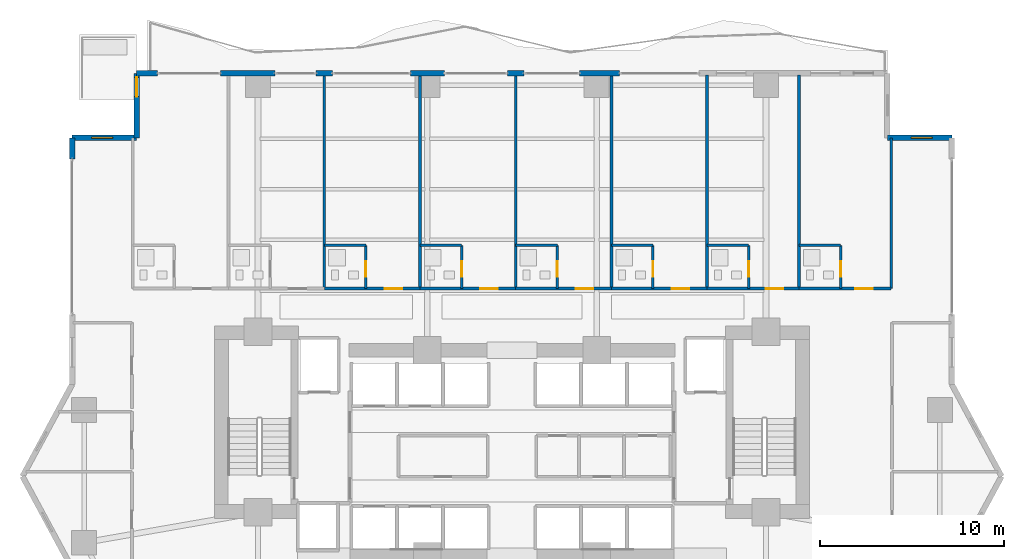
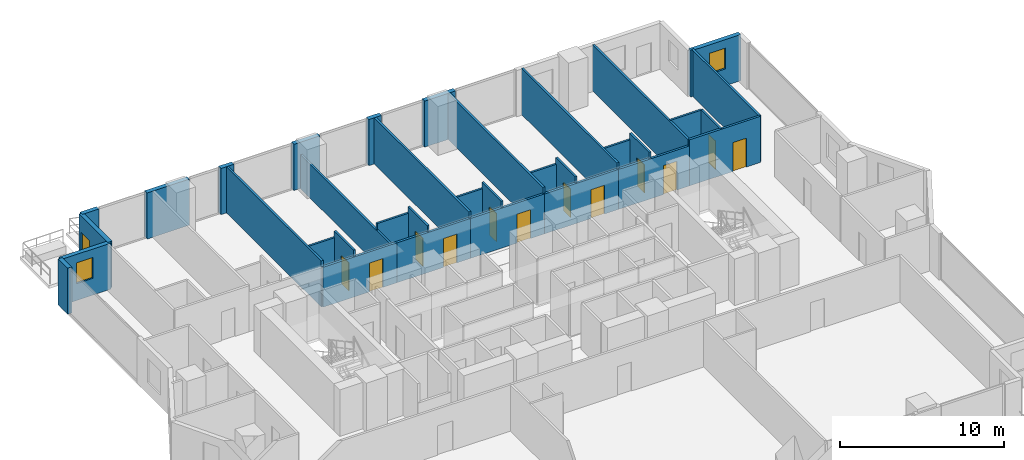
# One storey, part 24 of 29: 35 walls, 13 doors, 2 windows, 15 openings.
"""IFC4 building model written with IfcOpenShell, lengths in metres."""

import ifcopenshell
import ifcopenshell.guid

model = None  # the IFC model being written
_history = None  # IfcOwnerHistory: only IFC2X3 demands one
_inside = {}  # id of a spatial element -> (the spatial element, [elements in it])
_under = {}  # id of a project, library or spatial element -> (it, [spatial elements below it])
_declared = {}  # id of a project -> (the project, [libraries it declares])
_typed = {}  # id of a type object -> (the type object, [elements of that type])
_made_of = {}  # id of a material, layer set ... -> (it, [elements and type objects made of it])


def new_model(schema):
    """Start an empty IFC model of exactly this schema.

    Asked for "IFC4X3", IfcOpenShell would pick the latest addendum, in which some entities
    have other attributes; the version numbers below select the first issue.
    IFC2X3 requires an IfcOwnerHistory on every rooted entity: one is made here for all.
    """
    global model, _history
    if schema == "IFC4X3":
        model = ifcopenshell.file(schema_version=(4, 3, 0, 0))
    else:
        model = ifcopenshell.file(schema=schema)
    _inside.clear()
    _under.clear()
    _declared.clear()
    _typed.clear()
    _made_of.clear()
    _history = None
    if model.schema == "IFC2X3":
        org = make("IfcOrganization", Name="unknown")
        user = make(
            "IfcPersonAndOrganization",
            ThePerson=make("IfcPerson", FamilyName="unknown"),
            TheOrganization=org,
        )
        app = make(
            "IfcApplication",
            ApplicationDeveloper=org,
            Version="unknown",
            ApplicationFullName="unknown",
            ApplicationIdentifier="unknown",
        )
        _history = make(
            "IfcOwnerHistory",
            OwningUser=user,
            OwningApplication=app,
            ChangeAction="ADDED",
            CreationDate=0,
        )
    return model


def make(cls, **values):
    """One entity of the class cls with the attributes given. An attribute that is None is left unset."""
    return model.create_entity(
        cls, **{name: value for name, value in values.items() if value is not None}
    )


def rooted(cls, **values):
    """An entity with a GlobalId (a new one), such as an element, a storey or a relation."""
    return make(cls, GlobalId=ifcopenshell.guid.new(), OwnerHistory=_history, **values)


def si_unit(unit_type, name, prefix=None):
    """IfcSIUnit, for example si_unit("LENGTHUNIT", "METRE", prefix="MILLI")."""
    return make("IfcSIUnit", UnitType=unit_type, Prefix=prefix, Name=name)


def assignment(units):
    """IfcUnitAssignment: the units of a project."""
    return None if units is None else make("IfcUnitAssignment", Units=units)


def point(xyz):
    """IfcCartesianPoint."""
    return None if xyz is None else make("IfcCartesianPoint", Coordinates=xyz)


def direction(xyz):
    """IfcDirection."""
    return None if xyz is None else make("IfcDirection", DirectionRatios=xyz)


def frame(location, z_axis=None, x_axis=None):
    """IfcAxis2Placement3D, a coordinate frame: its origin and axes. An axis left out is left unset."""
    return make(
        "IfcAxis2Placement3D",
        Location=point(location),
        Axis=direction(z_axis),
        RefDirection=direction(x_axis),
    )


def frame_2d(location, x_axis=None):
    """IfcAxis2Placement2D, a coordinate frame in the plane: its origin and x axis."""
    return make(
        "IfcAxis2Placement2D", Location=point(location), RefDirection=direction(x_axis)
    )


def origin():
    """The frame at (0, 0, 0) with its axes left unset."""
    return frame((0.0, 0.0, 0.0))


def place(relative_to, where):
    """IfcLocalPlacement: puts the frame where relative to a parent placement (None: the world)."""
    return make(
        "IfcLocalPlacement", PlacementRelTo=relative_to, RelativePlacement=where
    )


def context(
    kind, dimensions, precision=None, world=None, true_north=None, identifier=None
):
    """IfcGeometricRepresentationContext, for example the 3D "Model" context."""
    return make(
        "IfcGeometricRepresentationContext",
        ContextIdentifier=identifier,
        ContextType=kind,
        CoordinateSpaceDimension=dimensions,
        Precision=precision,
        WorldCoordinateSystem=world,
        TrueNorth=true_north,
    )


def subcontext(parent, identifier, kind, view, scale=None):
    """IfcGeometricRepresentationSubContext, for example "Body" below "Model"."""
    return make(
        "IfcGeometricRepresentationSubContext",
        ContextIdentifier=identifier,
        ContextType=kind,
        ParentContext=parent,
        TargetScale=scale,
        TargetView=view,
    )


def project(units=None, contexts=None):
    """IfcProject with its units and contexts."""
    return rooted(
        "IfcProject",
        Name="project",
        RepresentationContexts=contexts,
        UnitsInContext=assignment(units),
    )


def spatial(cls, under=None, at=None, **own):
    """A site, building, storey or space (cls), placed at a placement, below another one or the project."""
    s = rooted(cls, ObjectPlacement=at, **own)
    if under is not None:
        _under.setdefault(under.id(), (under, []))[1].append(s)
    return s


def profile(cls, at=None, kind="AREA", **sizes):
    """A parametric profile (cls). Its sizes go by their IFC names, for example OverallWidth=200.0."""
    return make(cls, ProfileType=kind, Position=at, **sizes)


def rectangle(**sizes):
    """IfcRectangleProfileDef."""
    return profile("IfcRectangleProfileDef", **sizes)


def extrude(swept, where, along, depth):
    """IfcExtrudedAreaSolid: the profile swept, set in the frame where, extruded along a direction by depth."""
    return make(
        "IfcExtrudedAreaSolid",
        SweptArea=swept,
        Position=where,
        ExtrudedDirection=direction(along),
        Depth=depth,
    )


def shape(context_of_items, identifier, shape_type, items):
    """IfcShapeRepresentation: the items that make up one representation, for example the "Body"."""
    return make(
        "IfcShapeRepresentation",
        ContextOfItems=context_of_items,
        RepresentationIdentifier=identifier,
        RepresentationType=shape_type,
        Items=items,
    )


def material(Name=None, Category=None):
    """IfcMaterial."""
    return make("IfcMaterial", Name=Name, Category=Category)


def layer(
    of_material, thickness, ventilated=None, Name=None, Category=None, Priority=None
):
    """IfcMaterialLayer: one layer of a wall or slab, of a material (None: an air gap)."""
    return make(
        "IfcMaterialLayer",
        Material=of_material,
        LayerThickness=thickness,
        IsVentilated=ventilated,
        Name=Name,
        Category=Category,
        Priority=Priority,
    )


def layer_set(layers, Name=None):
    """IfcMaterialLayerSet."""
    return make("IfcMaterialLayerSet", MaterialLayers=layers, LayerSetName=Name)


def made_of(thing, what):
    """Note that an element or type object is made of a material, layer set ...; save() writes the relation."""
    if what is not None:
        _made_of.setdefault(what.id(), (what, []))[1].append(thing)
    return thing


def type_object(cls, material=None, **own):
    """A type object (cls), such as IfcWallType, which elements share."""
    return made_of(rooted(cls, **own), material)


def element(
    cls,
    number,
    at=None,
    inside=None,
    cuts=None,
    type_object=None,
    material=None,
    context=None,
    identifier="Body",
    shape_type=None,
    held_by="IfcProductDefinitionShape",
    body=None,
    shapes=None,
    **own,
):
    """One element of the class cls, such as IfcWall. Its Tag is "e" and its number.

    at: its placement. inside: the storey or other place that contains it. cuts: it is an
    opening in that element (IfcRelVoidsElement). A single representation is given by context,
    identifier, shape_type and body (its items); several are given by shapes. held_by: the class
    of the entity that holds the representations. save() writes the other relations.
    """
    e = rooted(cls, Tag="e%d" % number, ObjectPlacement=at, **own)
    if body is not None:
        shapes = [shape(context, identifier, shape_type, body)]
    if shapes is not None:
        e.Representation = make(held_by, Representations=shapes)
    if inside is not None:
        _inside.setdefault(inside.id(), (inside, []))[1].append(e)
    if cuts is not None:
        rooted(
            "IfcRelVoidsElement", RelatingBuildingElement=cuts, RelatedOpeningElement=e
        )
    if type_object is not None:
        _typed.setdefault(type_object.id(), (type_object, []))[1].append(e)
    return made_of(e, material)


def fill(opening, filler):
    """IfcRelFillsElement: the door or window that sits in an opening."""
    return rooted(
        "IfcRelFillsElement",
        RelatingOpeningElement=opening,
        RelatedBuildingElement=filler,
    )


def aggregate(whole, parts):
    """IfcRelAggregates: a whole, such as a stair, and the parts it consists of."""
    return rooted("IfcRelAggregates", RelatingObject=whole, RelatedObjects=parts)


def save(model, path):
    """Write the relations noted so far, then the file.

    IfcRelAggregates (storeys below a building ...), IfcRelContainedInSpatialStructure (elements
    in a storey), IfcRelDefinesByType, IfcRelAssociatesMaterial and IfcRelDeclares: one each for
    every whole, place, type object, material and project.
    """
    for whole, parts in _under.values():
        aggregate(whole, parts)
    for where, things in _inside.values():
        rooted(
            "IfcRelContainedInSpatialStructure",
            RelatedElements=things,
            RelatingStructure=where,
        )
    for kind, things in _typed.values():
        rooted("IfcRelDefinesByType", RelatedObjects=things, RelatingType=kind)
    for what, things in _made_of.values():
        rooted("IfcRelAssociatesMaterial", RelatedObjects=things, RelatingMaterial=what)
    for by, libraries in _declared.values():
        rooted("IfcRelDeclares", RelatingContext=by, RelatedDefinitions=libraries)
    model.write(path)


model = new_model("IFC4")

# Units and contexts
model_context = context("Model", 3, precision=1e-05, world=origin(), true_north=direction((0.0, 1.0)))
body_context = subcontext(model_context, "Body", "Model", "MODEL_VIEW")
ifc_project = project(units=[si_unit("LENGTHUNIT", "METRE"), si_unit("AREAUNIT", "SQUARE_METRE"), si_unit("VOLUMEUNIT", "CUBIC_METRE"), si_unit("PLANEANGLEUNIT", "RADIAN"), si_unit("MASSUNIT", "GRAM", prefix="KILO")], contexts=[model_context])

# Site, building, storey
site_placement = place(None, origin())
site = spatial("IfcSite", under=ifc_project, at=site_placement, CompositionType="ELEMENT")
building_placement = place(site_placement, origin())
building = spatial("IfcBuilding", under=site, at=building_placement, Name="Zuhayl Quay Hotel", CompositionType="ELEMENT")
storey_placement = place(building_placement, frame((0.0, 0.0, 113.89990234375)))
storey = spatial("IfcBuildingStorey", under=building, at=storey_placement, Name="L28", CompositionType="ELEMENT", Elevation=113.89990234375)

# Wall
ifc_material_1 = material(Name="Precast concrete C45/55", Category="concrete")
ifc_layer_1 = layer(ifc_material_1, 0.300048828125, Name="Precast concrete C45/55", Category="concrete")
ifc_layer_set_1 = layer_set([ifc_layer_1], Name="Precast concrete C45/55")
wall_type_1 = type_object("IfcWallType", Name="WL_EXT_300", PredefinedType="STANDARD", material=ifc_layer_set_1)
wall_1_placement = place(storey_placement, frame((-23.89990234375, 23.75, 0.0), z_axis=(0.0, 0.0, 1.0), x_axis=(0.0, 1.0, 0.0)))
element("IfcWall", 1, at=wall_1_placement, inside=storey, type_object=wall_type_1, Name="L28 Exterior Precast Wall ENV_L28_E05_EW2", PredefinedType="STANDARD", context=body_context, shape_type="SweptSolid", body=[
    extrude(rectangle(XDim=1.14990234375, YDim=0.300048828125, at=frame_2d((0.574951171875, 0.0))), origin(), (0.0, 0.0, 1.0), 3.43017578125),
])

# Wall, opening, window
wall_2_placement = place(storey_placement, frame((-23.89990234375, 24.89990234375, 0.0), z_axis=(0.0, 0.0, 1.0), x_axis=(1.0, 0.0, 0.0)))
wall_2 = element("IfcWall", 2, at=wall_2_placement, inside=storey, type_object=wall_type_1, Name="L28 Exterior Precast Wall ENV_L28_EW06", PredefinedType="STANDARD", context=body_context, shape_type="SweptSolid", body=[
    extrude(rectangle(XDim=3.5, YDim=0.300048828125, at=frame_2d((1.75, 0.0))), origin(), (0.0, 0.0, 1.0), 3.43017578125),
])
opening_1_placement = place(wall_2_placement, frame((1.06494140625, 0.0, 1.25)))
opening_1 = element("IfcOpeningElement", 3, at=opening_1_placement, cuts=wall_2, Name="Opening W01N", PredefinedType="OPENING", context=body_context, shape_type="SweptSolid", body=[
    extrude(rectangle(XDim=1.14990234375, YDim=1.550048828125, at=frame_2d((0.574951171875, 0.77490234375))), frame((0.0, 0.159912109375, 0.0), z_axis=(0.0, -1.0, 0.0), x_axis=(1.0, 0.0, 0.0)), (0.0, 0.0, 1.0), 0.320068359375),
])
ifc_material_2 = material(Name="Dark Ceramic-Fritted Solar Glass", Category="glass")
window_type = type_object("IfcWindowType", Name="WN_NOTCH_1350", PartitioningType="SINGLE_PANEL", PredefinedType="WINDOW", material=ifc_material_2)
window_1_placement = place(opening_1_placement, origin())
window_1 = element("IfcWindow", 4, at=window_1_placement, inside=storey, type_object=window_type, Name="L28 Corner Notch Window 6", OverallHeight=1.550048828125, OverallWidth=1.14990234375, PartitioningType="SINGLE_PANEL", PredefinedType="WINDOW", context=body_context, shape_type="SweptSolid", body=[
    extrude(rectangle(XDim=1.14990234375, YDim=1.550048828125, at=frame_2d((0.574951171875, 0.77490234375))), frame((0.0, 0.030029296875, 0.0), z_axis=(0.0, -1.0, 0.0), x_axis=(1.0, 0.0, 0.0)), (0.0, 0.0, 1.0), 0.06005859375),
])
fill(opening_1, window_1)

# Wall, opening, door
wall_3_placement = place(storey_placement, frame((-20.39990234375, 24.89990234375, 0.0), z_axis=(0.0, 0.0, 1.0), x_axis=(0.0, 1.0, 0.0)))
wall_3 = element("IfcWall", 5, at=wall_3_placement, inside=storey, type_object=wall_type_1, Name="L28 Exterior Precast Wall ENV_L28_SP_NW", PredefinedType="STANDARD", context=body_context, shape_type="SweptSolid", body=[
    extrude(rectangle(XDim=3.5, YDim=0.300048828125, at=frame_2d((1.75, 0.0))), origin(), (0.0, 0.0, 1.0), 3.43017578125),
])
opening_2_placement = place(wall_3_placement, frame((2.22998046875, 0.0, 0.0)))
opening_2 = element("IfcOpeningElement", 6, at=opening_2_placement, cuts=wall_3, Name="Opening DG1", PredefinedType="OPENING", context=body_context, shape_type="SweptSolid", body=[
    extrude(rectangle(XDim=1.050048828125, YDim=2.199951171875, at=frame_2d((0.52490234375, 1.10009765625))), frame((0.0, 0.159912109375, 0.0), z_axis=(0.0, -1.0, 0.0), x_axis=(1.0, 0.0, 0.0)), (0.0, 0.0, 1.0), 0.320068359375),
])
ifc_material_3 = material(Name="Anodised Aluminium and Dark Solar Glass", Category="aluminium")
door_type_1 = type_object("IfcDoorType", Name="DR_EXT_TERR_1050", OperationType="NOTDEFINED", PredefinedType="DOOR", material=ifc_material_3)
door_1_placement = place(opening_2_placement, origin())
door_1 = element("IfcDoor", 7, at=door_1_placement, inside=storey, type_object=door_type_1, Name="L28 Spiral Sky-Terrace NW Access Door", OperationType="SINGLE_SWING_LEFT", OverallHeight=2.199951171875, OverallWidth=1.050048828125, PredefinedType="DOOR", context=body_context, shape_type="SweptSolid", body=[
    extrude(rectangle(XDim=1.050048828125, YDim=2.199951171875, at=frame_2d((0.52490234375, 1.10009765625))), frame((0.0, 0.02490234375, 0.0), z_axis=(0.0, -1.0, 0.0), x_axis=(1.0, 0.0, 0.0)), (0.0, 0.0, 1.0), 0.050048828125),
])
fill(opening_2, door_1)

# Walls
wall_4_placement = place(storey_placement, frame((-20.39990234375, 28.39990234375, 0.0), z_axis=(0.0, 0.0, 1.0), x_axis=(1.0, 0.0, 0.0)))
element("IfcWall", 8, at=wall_4_placement, inside=storey, type_object=wall_type_1, Name="L28 Exterior Precast Wall ENV_L28_N_EW1", PredefinedType="STANDARD", context=body_context, shape_type="SweptSolid", body=[
    extrude(rectangle(XDim=1.14990234375, YDim=0.300048828125, at=frame_2d((0.574951171875, 0.0))), origin(), (0.0, 0.0, 1.0), 3.43017578125),
])
wall_5_placement = place(storey_placement, frame((-15.85009765625, 28.39990234375, 0.0), z_axis=(0.0, 0.0, 1.0), x_axis=(1.0, 0.0, 0.0)))
element("IfcWall", 9, at=wall_5_placement, inside=storey, type_object=wall_type_1, Name="L28 Exterior Precast Wall ENV_L28_N_EW2", PredefinedType="STANDARD", context=body_context, shape_type="SweptSolid", body=[
    extrude(rectangle(XDim=2.97021484375, YDim=0.300048828125, at=frame_2d((1.485107421875, 0.0))), origin(), (0.0, 0.0, 1.0), 3.43017578125),
])
wall_6_placement = place(storey_placement, frame((-10.64990234375, 28.39990234375, 0.0), z_axis=(0.0, 0.0, 1.0), x_axis=(1.0, 0.0, 0.0)))
element("IfcWall", 10, at=wall_6_placement, inside=storey, type_object=wall_type_1, Name="L28 Exterior Precast Wall ENV_L28_N_EW3", PredefinedType="STANDARD", context=body_context, shape_type="SweptSolid", body=[
    extrude(rectangle(XDim=0.89990234375, YDim=0.300048828125, at=frame_2d((0.449951171875, 0.0))), origin(), (0.0, 0.0, 1.0), 3.43017578125),
])
wall_7_placement = place(storey_placement, frame((-5.52001953125, 28.39990234375, 0.0), z_axis=(0.0, 0.0, 1.0), x_axis=(1.0, 0.0, 0.0)))
element("IfcWall", 11, at=wall_7_placement, inside=storey, type_object=wall_type_1, Name="L28 Exterior Precast Wall ENV_L28_N_EW4", PredefinedType="STANDARD", context=body_context, shape_type="SweptSolid", body=[
    extrude(rectangle(XDim=1.840087890625, YDim=0.300048828125, at=frame_2d((0.919921875, 0.0))), origin(), (0.0, 0.0, 1.0), 3.43017578125),
])
wall_8_placement = place(storey_placement, frame((-0.25, 28.39990234375, 0.0), z_axis=(0.0, 0.0, 1.0), x_axis=(1.0, 0.0, 0.0)))
element("IfcWall", 12, at=wall_8_placement, inside=storey, type_object=wall_type_1, Name="L28 Exterior Precast Wall ENV_L28_N_EW5", PredefinedType="STANDARD", context=body_context, shape_type="SweptSolid", body=[
    extrude(rectangle(XDim=0.89990234375, YDim=0.300048828125, at=frame_2d((0.449951171875, 0.0))), origin(), (0.0, 0.0, 1.0), 3.43017578125),
])
wall_9_placement = place(storey_placement, frame((3.679931640625, 28.39990234375, 0.0), z_axis=(0.0, 0.0, 1.0), x_axis=(1.0, 0.0, 0.0)))
element("IfcWall", 13, at=wall_9_placement, inside=storey, type_object=wall_type_1, Name="L28 Exterior Precast Wall ENV_L28_N_EW6", PredefinedType="STANDARD", context=body_context, shape_type="SweptSolid", body=[
    extrude(rectangle(XDim=2.170166015625, YDim=0.300048828125, at=frame_2d((1.0849609375, 0.0))), origin(), (0.0, 0.0, 1.0), 3.43017578125),
])

# Wall, opening, window
wall_10_placement = place(storey_placement, frame((20.39990234375, 24.89990234375, 0.0), z_axis=(0.0, 0.0, 1.0), x_axis=(1.0, 0.0, 0.0)))
wall_10 = element("IfcWall", 14, at=wall_10_placement, inside=storey, type_object=wall_type_1, Name="L28 Exterior Precast Wall ENV_L28_EW10", PredefinedType="STANDARD", context=body_context, shape_type="SweptSolid", body=[
    extrude(rectangle(XDim=3.5, YDim=0.300048828125, at=frame_2d((1.75, 0.0))), origin(), (0.0, 0.0, 1.0), 3.43017578125),
])
opening_3_placement = place(wall_10_placement, frame((1.284912109375, 0.0, 1.25)))
opening_3 = element("IfcOpeningElement", 15, at=opening_3_placement, cuts=wall_10, Name="Opening W01N", PredefinedType="OPENING", context=body_context, shape_type="SweptSolid", body=[
    extrude(rectangle(XDim=1.14990234375, YDim=1.550048828125, at=frame_2d((0.574951171875, 0.77490234375))), frame((0.0, 0.159912109375, 0.0), z_axis=(0.0, -1.0, 0.0), x_axis=(1.0, 0.0, 0.0)), (0.0, 0.0, 1.0), 0.320068359375),
])
window_2_placement = place(opening_3_placement, origin())
window_2 = element("IfcWindow", 16, at=window_2_placement, inside=storey, type_object=window_type, Name="L28 Corner Notch Window 10", OverallHeight=1.550048828125, OverallWidth=1.14990234375, PartitioningType="SINGLE_PANEL", PredefinedType="WINDOW", context=body_context, shape_type="SweptSolid", body=[
    extrude(rectangle(XDim=1.14990234375, YDim=1.550048828125, at=frame_2d((0.574951171875, 0.77490234375))), frame((0.0, 0.030029296875, 0.0), z_axis=(0.0, -1.0, 0.0), x_axis=(1.0, 0.0, 0.0)), (0.0, 0.0, 1.0), 0.06005859375),
])
fill(opening_3, window_2)

# Walls
ifc_material_4 = material(Name="Acoustic Gypsum Partition STC-58")
ifc_layer_2 = layer(ifc_material_4, 0.14990234375, Name="Acoustic Gypsum Partition STC-58")
ifc_layer_set_2 = layer_set([ifc_layer_2], Name="Acoustic Gypsum Partition STC-58")
wall_type_2 = type_object("IfcWallType", Name="WL_PART_150", PredefinedType="PARTITIONING", material=ifc_layer_set_2)
wall_11_placement = place(storey_placement, frame((-10.199951171875, 16.699951171875, 0.0), z_axis=(0.0, 0.0, 1.0), x_axis=(0.0, 1.0, 0.0)))
element("IfcWall", 17, at=wall_11_placement, inside=storey, type_object=wall_type_2, Name="L28 Partition IW_L28_NU02_E", PredefinedType="PARTITIONING", context=body_context, shape_type="SweptSolid", body=[
    extrude(rectangle(XDim=11.6201171875, YDim=0.14990234375, at=frame_2d((5.81005859375, 0.0))), origin(), (0.0, 0.0, 1.0), 3.43017578125),
])
wall_12_placement = place(storey_placement, frame((-5.0, 16.699951171875, 0.0), z_axis=(0.0, 0.0, 1.0), x_axis=(0.0, 1.0, 0.0)))
element("IfcWall", 18, at=wall_12_placement, inside=storey, type_object=wall_type_2, Name="L28 Partition IW_L28_NU03_E", PredefinedType="PARTITIONING", context=body_context, shape_type="SweptSolid", body=[
    extrude(rectangle(XDim=11.6201171875, YDim=0.14990234375, at=frame_2d((5.81005859375, 0.0))), origin(), (0.0, 0.0, 1.0), 2.503173828125),
])
for number, where, z_axis, x_axis, name in (
    (19, (0.199951171875, 16.699951171875, 0.0), (0.0, 0.0, 1.0), (0.0, 1.0, 0.0), "L28 Partition IW_L28_NU04_E"),
    (20, (5.39990234375, 16.699951171875, 0.0), (0.0, 0.0, 1.0), (0.0, 1.0, 0.0), "L28 Partition IW_L28_NU05_E"),
    (21, (10.60009765625, 16.699951171875, 0.0), (0.0, 0.0, 1.0), (0.0, 1.0, 0.0), "L28 Partition IW_L28_NU06_E"),
    (22, (15.60009765625, 16.699951171875, 0.0), (0.0, 0.0, 1.0), (0.0, 1.0, 0.0), "L28 Partition IW_L28_NU07_E"),
):
    element("IfcWall", number, at=place(storey_placement, frame(where, z_axis=z_axis, x_axis=x_axis)), inside=storey, type_object=wall_type_2, Name=name, PredefinedType="PARTITIONING", context=body_context, shape_type="SweptSolid", body=[
        extrude(rectangle(XDim=11.6201171875, YDim=0.14990234375, at=frame_2d((5.81005859375, 0.0))), origin(), (0.0, 0.0, 1.0), 3.43017578125),
    ])
wall_13_placement = place(storey_placement, frame((20.60009765625, 16.699951171875, 0.0), z_axis=(0.0, 0.0, 1.0), x_axis=(0.0, 1.0, 0.0)))
element("IfcWall", 23, at=wall_13_placement, inside=storey, type_object=wall_type_2, Name="L28 Partition IW_L28_NU08_E", PredefinedType="PARTITIONING", context=body_context, shape_type="SweptSolid", body=[
    extrude(rectangle(XDim=8.199951171875, YDim=0.14990234375, at=frame_2d((4.10009765625, 0.0))), origin(), (0.0, 0.0, 1.0), 3.43017578125),
])

# Wall, opening, door
ifc_layer_3 = layer(ifc_material_4, 0.159912109375, Name="Acoustic Gypsum Partition STC-58")
ifc_layer_set_3 = layer_set([ifc_layer_3], Name="Acoustic Gypsum Partition STC-58")
wall_type_3 = type_object("IfcWallType", Name="WL_PART_CORR_160", PredefinedType="PARTITIONING", material=ifc_layer_set_3)
wall_14_placement = place(storey_placement, frame((-10.199951171875, 16.699951171875, 0.0), z_axis=(0.0, 0.0, 1.0), x_axis=(1.0, 0.0, 0.0)))
wall_14 = element("IfcWall", 24, at=wall_14_placement, inside=storey, type_object=wall_type_3, Name="L28 Partition IW_L28_NU03_COR", PredefinedType="PARTITIONING", context=body_context, shape_type="SweptSolid", body=[
    extrude(rectangle(XDim=5.199951171875, YDim=0.159912109375, at=frame_2d((2.60009765625, 0.0))), origin(), (0.0, 0.0, 1.0), 2.97314453125),
])
opening_4_placement = place(wall_14_placement, frame((3.27490234375, 0.0, 0.0)))
opening_4 = element("IfcOpeningElement", 25, at=opening_4_placement, cuts=wall_14, Name="Opening D03", PredefinedType="OPENING", context=body_context, shape_type="SweptSolid", body=[
    extrude(rectangle(XDim=0.949951171875, YDim=2.14990234375, at=frame_2d((0.47509765625, 1.074951171875))), frame((0.0, 0.08984375, 0.0), z_axis=(0.0, -1.0, 0.0), x_axis=(1.0, 0.0, 0.0)), (0.0, 0.0, 1.0), 0.179931640625),
])
ifc_material_5 = material(Name="Solid Walnut Acoustic Fire Door")
door_type_2 = type_object("IfcDoorType", Name="DR_SUITE_950", OperationType="NOTDEFINED", PredefinedType="DOOR", material=ifc_material_5)
door_2_placement = place(opening_4_placement, origin())
door_2 = element("IfcDoor", 26, at=door_2_placement, inside=storey, type_object=door_type_2, Name="L28 Deluxe Gulf Guest Room L28-03 Entrance Door", OperationType="SINGLE_SWING_RIGHT", OverallHeight=2.14990234375, OverallWidth=0.949951171875, PredefinedType="DOOR", context=body_context, shape_type="SweptSolid", body=[
    extrude(rectangle(XDim=0.949951171875, YDim=2.14990234375, at=frame_2d((0.47509765625, 1.074951171875))), frame((0.0, 0.02490234375, 0.0), z_axis=(0.0, -1.0, 0.0), x_axis=(1.0, 0.0, 0.0)), (0.0, 0.0, 1.0), 0.050048828125),
])
fill(opening_4, door_2)

wall_15_placement = place(storey_placement, frame((-5.0, 16.699951171875, 0.0), z_axis=(0.0, 0.0, 1.0), x_axis=(1.0, 0.0, 0.0)))
wall_15 = element("IfcWall", 27, at=wall_15_placement, inside=storey, type_object=wall_type_3, Name="L28 Partition IW_L28_NU04_COR", PredefinedType="PARTITIONING", context=body_context, shape_type="SweptSolid", body=[
    extrude(rectangle(XDim=5.199951171875, YDim=0.159912109375, at=frame_2d((2.60009765625, 0.0))), origin(), (0.0, 0.0, 1.0), 2.97314453125),
])
opening_5_placement = place(wall_15_placement, frame((3.27490234375, 0.0, 0.0)))
opening_5 = element("IfcOpeningElement", 28, at=opening_5_placement, cuts=wall_15, Name="Opening D03", PredefinedType="OPENING", context=body_context, shape_type="SweptSolid", body=[
    extrude(rectangle(XDim=0.949951171875, YDim=2.14990234375, at=frame_2d((0.47509765625, 1.074951171875))), frame((0.0, 0.08984375, 0.0), z_axis=(0.0, -1.0, 0.0), x_axis=(1.0, 0.0, 0.0)), (0.0, 0.0, 1.0), 0.179931640625),
])
door_3_placement = place(opening_5_placement, origin())
door_3 = element("IfcDoor", 29, at=door_3_placement, inside=storey, type_object=door_type_2, Name="L28 Deluxe Gulf Guest Room L28-04 Entrance Door", OperationType="SINGLE_SWING_RIGHT", OverallHeight=2.14990234375, OverallWidth=0.949951171875, PredefinedType="DOOR", context=body_context, shape_type="SweptSolid", body=[
    extrude(rectangle(XDim=0.949951171875, YDim=2.14990234375, at=frame_2d((0.47509765625, 1.074951171875))), frame((0.0, 0.02490234375, 0.0), z_axis=(0.0, -1.0, 0.0), x_axis=(1.0, 0.0, 0.0)), (0.0, 0.0, 1.0), 0.050048828125),
])
fill(opening_5, door_3)

wall_16_placement = place(storey_placement, frame((0.199951171875, 16.699951171875, 0.0), z_axis=(0.0, 0.0, 1.0), x_axis=(1.0, 0.0, 0.0)))
wall_16 = element("IfcWall", 30, at=wall_16_placement, inside=storey, type_object=wall_type_3, Name="L28 Partition IW_L28_NU05_COR", PredefinedType="PARTITIONING", context=body_context, shape_type="SweptSolid", body=[
    extrude(rectangle(XDim=5.199951171875, YDim=0.159912109375, at=frame_2d((2.60009765625, 0.0))), origin(), (0.0, 0.0, 1.0), 2.97314453125),
])
opening_6_placement = place(wall_16_placement, frame((3.27490234375, 0.0, 0.0)))
opening_6 = element("IfcOpeningElement", 31, at=opening_6_placement, cuts=wall_16, Name="Opening D03", PredefinedType="OPENING", context=body_context, shape_type="SweptSolid", body=[
    extrude(rectangle(XDim=0.949951171875, YDim=2.14990234375, at=frame_2d((0.47509765625, 1.074951171875))), frame((0.0, 0.08984375, 0.0), z_axis=(0.0, -1.0, 0.0), x_axis=(1.0, 0.0, 0.0)), (0.0, 0.0, 1.0), 0.179931640625),
])
door_4_placement = place(opening_6_placement, origin())
door_4 = element("IfcDoor", 32, at=door_4_placement, inside=storey, type_object=door_type_2, Name="L28 Deluxe Gulf Guest Room L28-05 Entrance Door", OperationType="SINGLE_SWING_RIGHT", OverallHeight=2.14990234375, OverallWidth=0.949951171875, PredefinedType="DOOR", context=body_context, shape_type="SweptSolid", body=[
    extrude(rectangle(XDim=0.949951171875, YDim=2.14990234375, at=frame_2d((0.47509765625, 1.074951171875))), frame((0.0, 0.02490234375, 0.0), z_axis=(0.0, -1.0, 0.0), x_axis=(1.0, 0.0, 0.0)), (0.0, 0.0, 1.0), 0.050048828125),
])
fill(opening_6, door_4)

wall_17_placement = place(storey_placement, frame((5.39990234375, 16.699951171875, 0.0), z_axis=(0.0, 0.0, 1.0), x_axis=(1.0, 0.0, 0.0)))
wall_17 = element("IfcWall", 33, at=wall_17_placement, inside=storey, type_object=wall_type_3, Name="L28 Partition IW_L28_NU06_COR", PredefinedType="PARTITIONING", context=body_context, shape_type="SweptSolid", body=[
    extrude(rectangle(XDim=5.2001953125, YDim=0.159912109375, at=frame_2d((2.60009765625, 0.0))), origin(), (0.0, 0.0, 1.0), 2.97314453125),
])
opening_7_placement = place(wall_17_placement, frame((3.27490234375, 0.0, 0.0)))
opening_7 = element("IfcOpeningElement", 34, at=opening_7_placement, cuts=wall_17, Name="Opening D03", PredefinedType="OPENING", context=body_context, shape_type="SweptSolid", body=[
    extrude(rectangle(XDim=0.949951171875, YDim=2.14990234375, at=frame_2d((0.47509765625, 1.074951171875))), frame((0.0, 0.08984375, 0.0), z_axis=(0.0, -1.0, 0.0), x_axis=(1.0, 0.0, 0.0)), (0.0, 0.0, 1.0), 0.179931640625),
])
door_5_placement = place(opening_7_placement, origin())
door_5 = element("IfcDoor", 35, at=door_5_placement, inside=storey, type_object=door_type_2, Name="L28 Deluxe Gulf Guest Room L28-06 Entrance Door", OperationType="SINGLE_SWING_RIGHT", OverallHeight=2.14990234375, OverallWidth=0.949951171875, PredefinedType="DOOR", context=body_context, shape_type="SweptSolid", body=[
    extrude(rectangle(XDim=0.949951171875, YDim=2.14990234375, at=frame_2d((0.47509765625, 1.074951171875))), frame((0.0, 0.02490234375, 0.0), z_axis=(0.0, -1.0, 0.0), x_axis=(1.0, 0.0, 0.0)), (0.0, 0.0, 1.0), 0.050048828125),
])
fill(opening_7, door_5)

wall_18_placement = place(storey_placement, frame((10.60009765625, 16.699951171875, 0.0), z_axis=(0.0, 0.0, 1.0), x_axis=(1.0, 0.0, 0.0)))
wall_18 = element("IfcWall", 36, at=wall_18_placement, inside=storey, type_object=wall_type_3, Name="L28 Partition IW_L28_NU07_COR", PredefinedType="PARTITIONING", context=body_context, shape_type="SweptSolid", body=[
    extrude(rectangle(XDim=5.0, YDim=0.159912109375, at=frame_2d((2.5, 0.0))), origin(), (0.0, 0.0, 1.0), 2.97314453125),
])
opening_8_placement = place(wall_18_placement, frame((3.175048828125, 0.0, 0.0)))
opening_8 = element("IfcOpeningElement", 37, at=opening_8_placement, cuts=wall_18, Name="Opening D03", PredefinedType="OPENING", context=body_context, shape_type="SweptSolid", body=[
    extrude(rectangle(XDim=0.949951171875, YDim=2.14990234375, at=frame_2d((0.47509765625, 1.074951171875))), frame((0.0, 0.08984375, 0.0), z_axis=(0.0, -1.0, 0.0), x_axis=(1.0, 0.0, 0.0)), (0.0, 0.0, 1.0), 0.179931640625),
])
door_6_placement = place(opening_8_placement, origin())
door_6 = element("IfcDoor", 38, at=door_6_placement, inside=storey, type_object=door_type_2, Name="L28 Deluxe Gulf Guest Room L28-07 Entrance Door", OperationType="SINGLE_SWING_RIGHT", OverallHeight=2.14990234375, OverallWidth=0.949951171875, PredefinedType="DOOR", context=body_context, shape_type="SweptSolid", body=[
    extrude(rectangle(XDim=0.949951171875, YDim=2.14990234375, at=frame_2d((0.47509765625, 1.074951171875))), frame((0.0, 0.02490234375, 0.0), z_axis=(0.0, -1.0, 0.0), x_axis=(1.0, 0.0, 0.0)), (0.0, 0.0, 1.0), 0.050048828125),
])
fill(opening_8, door_6)

wall_19_placement = place(storey_placement, frame((15.60009765625, 16.699951171875, 0.0), z_axis=(0.0, 0.0, 1.0), x_axis=(1.0, 0.0, 0.0)))
wall_19 = element("IfcWall", 39, at=wall_19_placement, inside=storey, type_object=wall_type_3, Name="L28 Partition IW_L28_NU08_COR", PredefinedType="PARTITIONING", context=body_context, shape_type="SweptSolid", body=[
    extrude(rectangle(XDim=5.0, YDim=0.159912109375, at=frame_2d((2.5, 0.0))), origin(), (0.0, 0.0, 1.0), 3.43017578125),
])
opening_9_placement = place(wall_19_placement, frame((3.050048828125, 0.0, 0.0)))
opening_9 = element("IfcOpeningElement", 40, at=opening_9_placement, cuts=wall_19, Name="Opening D03", PredefinedType="OPENING", context=body_context, shape_type="SweptSolid", body=[
    extrude(rectangle(XDim=0.949951171875, YDim=2.14990234375, at=frame_2d((0.47509765625, 1.074951171875))), frame((0.0, 0.08984375, 0.0), z_axis=(0.0, -1.0, 0.0), x_axis=(1.0, 0.0, 0.0)), (0.0, 0.0, 1.0), 0.179931640625),
])
door_7_placement = place(opening_9_placement, origin())
door_7 = element("IfcDoor", 41, at=door_7_placement, inside=storey, type_object=door_type_2, Name="L28 Deluxe Gulf Guest Room L28-08 Entrance Door", OperationType="SINGLE_SWING_RIGHT", OverallHeight=2.14990234375, OverallWidth=0.949951171875, PredefinedType="DOOR", context=body_context, shape_type="SweptSolid", body=[
    extrude(rectangle(XDim=0.949951171875, YDim=2.14990234375, at=frame_2d((0.47509765625, 1.074951171875))), frame((0.0, 0.02490234375, 0.0), z_axis=(0.0, -1.0, 0.0), x_axis=(1.0, 0.0, 0.0)), (0.0, 0.0, 1.0), 0.050048828125),
])
fill(opening_9, door_7)

ifc_material_6 = material(Name="Moisture-Resistant Sanitarychase Gypsum")
ifc_layer_4 = layer(ifc_material_6, 0.135009765625, Name="Moisture-Resistant Sanitarychase Gypsum")
ifc_layer_set_4 = layer_set([ifc_layer_4], Name="Moisture-Resistant Sanitarychase Gypsum")
wall_type_4 = type_object("IfcWallType", Name="WL_PART_PLUMB_150", PredefinedType="PLUMBINGWALL", material=ifc_layer_set_4)
wall_20_placement = place(storey_placement, frame((-7.93994140625, 16.699951171875, 0.0), z_axis=(0.0, 0.0, 1.0), x_axis=(0.0, 1.0, 0.0)))
wall_20 = element("IfcWall", 42, at=wall_20_placement, inside=storey, type_object=wall_type_4, Name="L28 Partition IW_L28_NU03_BE", PredefinedType="PLUMBINGWALL", context=body_context, shape_type="SweptSolid", body=[
    extrude(rectangle(XDim=2.360107421875, YDim=0.135009765625, at=frame_2d((1.18017578125, 0.0))), origin(), (0.0, 0.0, 1.0), 3.43017578125),
])
opening_10_placement = place(wall_20_placement, frame((0.64990234375, 0.0, 0.0)))
opening_10 = element("IfcOpeningElement", 43, at=opening_10_placement, cuts=wall_20, Name="Opening D04", PredefinedType="OPENING", context=body_context, shape_type="SweptSolid", body=[
    extrude(rectangle(XDim=0.85009765625, YDim=2.10009765625, at=frame_2d((0.425048828125, 1.050048828125))), frame((0.0, 0.077392578125, 0.0), z_axis=(0.0, -1.0, 0.0), x_axis=(1.0, 0.0, 0.0)), (0.0, 0.0, 1.0), 0.155029296875),
])
ifc_material_7 = material(Name="Moisture-Resistant Walnut Veneer")
door_type_3 = type_object("IfcDoorType", Name="DR_BATH_850", OperationType="NOTDEFINED", PredefinedType="DOOR", material=ifc_material_7)
door_8_placement = place(opening_10_placement, origin())
door_8 = element("IfcDoor", 44, at=door_8_placement, inside=storey, type_object=door_type_3, Name="L28 Deluxe Gulf Guest Room L28-03 En-Suite Door", OperationType="SINGLE_SWING_LEFT", OverallHeight=2.10009765625, OverallWidth=0.85009765625, PredefinedType="DOOR", context=body_context, shape_type="SweptSolid", body=[
    extrude(rectangle(XDim=0.85009765625, YDim=2.10009765625, at=frame_2d((0.425048828125, 1.050048828125))), frame((0.0, 0.02490234375, 0.0), z_axis=(0.0, -1.0, 0.0), x_axis=(1.0, 0.0, 0.0)), (0.0, 0.0, 1.0), 0.050048828125),
])
fill(opening_10, door_8)

wall_21_placement = place(storey_placement, frame((-2.739990234375, 16.699951171875, 0.0), z_axis=(0.0, 0.0, 1.0), x_axis=(0.0, 1.0, 0.0)))
wall_21 = element("IfcWall", 45, at=wall_21_placement, inside=storey, type_object=wall_type_4, Name="L28 Partition IW_L28_NU04_BE", PredefinedType="PLUMBINGWALL", context=body_context, shape_type="SweptSolid", body=[
    extrude(rectangle(XDim=2.360107421875, YDim=0.135009765625, at=frame_2d((1.18017578125, 0.0))), origin(), (0.0, 0.0, 1.0), 3.43017578125),
])
opening_11_placement = place(wall_21_placement, frame((0.64990234375, 0.0, 0.0)))
opening_11 = element("IfcOpeningElement", 46, at=opening_11_placement, cuts=wall_21, Name="Opening D04", PredefinedType="OPENING", context=body_context, shape_type="SweptSolid", body=[
    extrude(rectangle(XDim=0.85009765625, YDim=2.10009765625, at=frame_2d((0.425048828125, 1.050048828125))), frame((0.0, 0.077392578125, 0.0), z_axis=(0.0, -1.0, 0.0), x_axis=(1.0, 0.0, 0.0)), (0.0, 0.0, 1.0), 0.155029296875),
])
door_9_placement = place(opening_11_placement, origin())
door_9 = element("IfcDoor", 47, at=door_9_placement, inside=storey, type_object=door_type_3, Name="L28 Deluxe Gulf Guest Room L28-04 En-Suite Door", OperationType="SINGLE_SWING_LEFT", OverallHeight=2.10009765625, OverallWidth=0.85009765625, PredefinedType="DOOR", context=body_context, shape_type="SweptSolid", body=[
    extrude(rectangle(XDim=0.85009765625, YDim=2.10009765625, at=frame_2d((0.425048828125, 1.050048828125))), frame((0.0, 0.02490234375, 0.0), z_axis=(0.0, -1.0, 0.0), x_axis=(1.0, 0.0, 0.0)), (0.0, 0.0, 1.0), 0.050048828125),
])
fill(opening_11, door_9)

wall_22_placement = place(storey_placement, frame((2.4599609375, 16.699951171875, 0.0), z_axis=(0.0, 0.0, 1.0), x_axis=(0.0, 1.0, 0.0)))
wall_22 = element("IfcWall", 48, at=wall_22_placement, inside=storey, type_object=wall_type_4, Name="L28 Partition IW_L28_NU05_BE", PredefinedType="PLUMBINGWALL", context=body_context, shape_type="SweptSolid", body=[
    extrude(rectangle(XDim=2.360107421875, YDim=0.135009765625, at=frame_2d((1.18017578125, 0.0))), origin(), (0.0, 0.0, 1.0), 3.43017578125),
])
opening_12_placement = place(wall_22_placement, frame((0.64990234375, 0.0, 0.0)))
opening_12 = element("IfcOpeningElement", 49, at=opening_12_placement, cuts=wall_22, Name="Opening D04", PredefinedType="OPENING", context=body_context, shape_type="SweptSolid", body=[
    extrude(rectangle(XDim=0.85009765625, YDim=2.10009765625, at=frame_2d((0.425048828125, 1.050048828125))), frame((0.0, 0.077392578125, 0.0), z_axis=(0.0, -1.0, 0.0), x_axis=(1.0, 0.0, 0.0)), (0.0, 0.0, 1.0), 0.155029296875),
])
door_10_placement = place(opening_12_placement, origin())
door_10 = element("IfcDoor", 50, at=door_10_placement, inside=storey, type_object=door_type_3, Name="L28 Deluxe Gulf Guest Room L28-05 En-Suite Door", OperationType="SINGLE_SWING_LEFT", OverallHeight=2.10009765625, OverallWidth=0.85009765625, PredefinedType="DOOR", context=body_context, shape_type="SweptSolid", body=[
    extrude(rectangle(XDim=0.85009765625, YDim=2.10009765625, at=frame_2d((0.425048828125, 1.050048828125))), frame((0.0, 0.02490234375, 0.0), z_axis=(0.0, -1.0, 0.0), x_axis=(1.0, 0.0, 0.0)), (0.0, 0.0, 1.0), 0.050048828125),
])
fill(opening_12, door_10)

wall_23_placement = place(storey_placement, frame((7.659912109375, 16.699951171875, 0.0), z_axis=(0.0, 0.0, 1.0), x_axis=(0.0, 1.0, 0.0)))
wall_23 = element("IfcWall", 51, at=wall_23_placement, inside=storey, type_object=wall_type_4, Name="L28 Partition IW_L28_NU06_BE", PredefinedType="PLUMBINGWALL", context=body_context, shape_type="SweptSolid", body=[
    extrude(rectangle(XDim=2.360107421875, YDim=0.135009765625, at=frame_2d((1.18017578125, 0.0))), origin(), (0.0, 0.0, 1.0), 3.43017578125),
])
opening_13_placement = place(wall_23_placement, frame((0.64990234375, 0.0, 0.0)))
opening_13 = element("IfcOpeningElement", 52, at=opening_13_placement, cuts=wall_23, Name="Opening D04", PredefinedType="OPENING", context=body_context, shape_type="SweptSolid", body=[
    extrude(rectangle(XDim=0.85009765625, YDim=2.10009765625, at=frame_2d((0.425048828125, 1.050048828125))), frame((0.0, 0.077392578125, 0.0), z_axis=(0.0, -1.0, 0.0), x_axis=(1.0, 0.0, 0.0)), (0.0, 0.0, 1.0), 0.155029296875),
])
door_11_placement = place(opening_13_placement, origin())
door_11 = element("IfcDoor", 53, at=door_11_placement, inside=storey, type_object=door_type_3, Name="L28 Deluxe Gulf Guest Room L28-06 En-Suite Door", OperationType="SINGLE_SWING_LEFT", OverallHeight=2.10009765625, OverallWidth=0.85009765625, PredefinedType="DOOR", context=body_context, shape_type="SweptSolid", body=[
    extrude(rectangle(XDim=0.85009765625, YDim=2.10009765625, at=frame_2d((0.425048828125, 1.050048828125))), frame((0.0, 0.02490234375, 0.0), z_axis=(0.0, -1.0, 0.0), x_axis=(1.0, 0.0, 0.0)), (0.0, 0.0, 1.0), 0.050048828125),
])
fill(opening_13, door_11)

wall_24_placement = place(storey_placement, frame((12.860107421875, 16.699951171875, 0.0), z_axis=(0.0, 0.0, 1.0), x_axis=(0.0, 1.0, 0.0)))
wall_24 = element("IfcWall", 54, at=wall_24_placement, inside=storey, type_object=wall_type_4, Name="L28 Partition IW_L28_NU07_BE", PredefinedType="PLUMBINGWALL", context=body_context, shape_type="SweptSolid", body=[
    extrude(rectangle(XDim=2.360107421875, YDim=0.135009765625, at=frame_2d((1.18017578125, 0.0))), origin(), (0.0, 0.0, 1.0), 3.43017578125),
])
opening_14_placement = place(wall_24_placement, frame((0.64990234375, 0.0, 0.0)))
opening_14 = element("IfcOpeningElement", 55, at=opening_14_placement, cuts=wall_24, Name="Opening D04", PredefinedType="OPENING", context=body_context, shape_type="SweptSolid", body=[
    extrude(rectangle(XDim=0.85009765625, YDim=2.10009765625, at=frame_2d((0.425048828125, 1.050048828125))), frame((0.0, 0.077392578125, 0.0), z_axis=(0.0, -1.0, 0.0), x_axis=(1.0, 0.0, 0.0)), (0.0, 0.0, 1.0), 0.155029296875),
])
door_12_placement = place(opening_14_placement, origin())
door_12 = element("IfcDoor", 56, at=door_12_placement, inside=storey, type_object=door_type_3, Name="L28 Deluxe Gulf Guest Room L28-07 En-Suite Door", OperationType="SINGLE_SWING_LEFT", OverallHeight=2.10009765625, OverallWidth=0.85009765625, PredefinedType="DOOR", context=body_context, shape_type="SweptSolid", body=[
    extrude(rectangle(XDim=0.85009765625, YDim=2.10009765625, at=frame_2d((0.425048828125, 1.050048828125))), frame((0.0, 0.02490234375, 0.0), z_axis=(0.0, -1.0, 0.0), x_axis=(1.0, 0.0, 0.0)), (0.0, 0.0, 1.0), 0.050048828125),
])
fill(opening_14, door_12)

wall_25_placement = place(storey_placement, frame((17.860107421875, 16.699951171875, 0.0), z_axis=(0.0, 0.0, 1.0), x_axis=(0.0, 1.0, 0.0)))
wall_25 = element("IfcWall", 57, at=wall_25_placement, inside=storey, type_object=wall_type_4, Name="L28 Partition IW_L28_NU08_BE", PredefinedType="PLUMBINGWALL", context=body_context, shape_type="SweptSolid", body=[
    extrude(rectangle(XDim=2.360107421875, YDim=0.135009765625, at=frame_2d((1.18017578125, 0.0))), origin(), (0.0, 0.0, 1.0), 3.43017578125),
])
opening_15_placement = place(wall_25_placement, frame((0.64990234375, 0.0, 0.0)))
opening_15 = element("IfcOpeningElement", 58, at=opening_15_placement, cuts=wall_25, Name="Opening D04", PredefinedType="OPENING", context=body_context, shape_type="SweptSolid", body=[
    extrude(rectangle(XDim=0.85009765625, YDim=2.10009765625, at=frame_2d((0.425048828125, 1.050048828125))), frame((0.0, 0.077392578125, 0.0), z_axis=(0.0, -1.0, 0.0), x_axis=(1.0, 0.0, 0.0)), (0.0, 0.0, 1.0), 0.155029296875),
])
door_13_placement = place(opening_15_placement, origin())
door_13 = element("IfcDoor", 59, at=door_13_placement, inside=storey, type_object=door_type_3, Name="L28 Deluxe Gulf Guest Room L28-08 En-Suite Door", OperationType="SINGLE_SWING_LEFT", OverallHeight=2.10009765625, OverallWidth=0.85009765625, PredefinedType="DOOR", context=body_context, shape_type="SweptSolid", body=[
    extrude(rectangle(XDim=0.85009765625, YDim=2.10009765625, at=frame_2d((0.425048828125, 1.050048828125))), frame((0.0, 0.02490234375, 0.0), z_axis=(0.0, -1.0, 0.0), x_axis=(1.0, 0.0, 0.0)), (0.0, 0.0, 1.0), 0.050048828125),
])
fill(opening_15, door_13)

# Walls
for number, where, z_axis, x_axis, name in (
    (60, (-10.199951171875, 19.06005859375, 0.0), (0.0, 0.0, 1.0), (1.0, 0.0, 0.0), "L28 Partition IW_L28_NU03_BN"),
    (61, (-5.0, 19.06005859375, 0.0), (0.0, 0.0, 1.0), (1.0, 0.0, 0.0), "L28 Partition IW_L28_NU04_BN"),
    (62, (0.199951171875, 19.06005859375, 0.0), (0.0, 0.0, 1.0), (1.0, 0.0, 0.0), "L28 Partition IW_L28_NU05_BN"),
    (63, (5.39990234375, 19.06005859375, 0.0), (0.0, 0.0, 1.0), (1.0, 0.0, 0.0), "L28 Partition IW_L28_NU06_BN"),
    (64, (10.60009765625, 19.06005859375, 0.0), (0.0, 0.0, 1.0), (1.0, 0.0, 0.0), "L28 Partition IW_L28_NU07_BN"),
):
    element("IfcWall", number, at=place(storey_placement, frame(where, z_axis=z_axis, x_axis=x_axis)), inside=storey, type_object=wall_type_4, Name=name, PredefinedType="PLUMBINGWALL", context=body_context, shape_type="SweptSolid", body=[
        extrude(rectangle(XDim=2.260009765625, YDim=0.135009765625, at=frame_2d((1.1298828125, 0.0))), origin(), (0.0, 0.0, 1.0), 2.97314453125),
    ])
wall_26_placement = place(storey_placement, frame((15.60009765625, 19.06005859375, 0.0), z_axis=(0.0, 0.0, 1.0), x_axis=(1.0, 0.0, 0.0)))
element("IfcWall", 65, at=wall_26_placement, inside=storey, type_object=wall_type_4, Name="L28 Partition IW_L28_NU08_BN", PredefinedType="PLUMBINGWALL", context=body_context, shape_type="SweptSolid", body=[
    extrude(rectangle(XDim=2.260009765625, YDim=0.135009765625, at=frame_2d((1.1298828125, 0.0))), origin(), (0.0, 0.0, 1.0), 3.43017578125),
])

save(model, "model.ifc")
